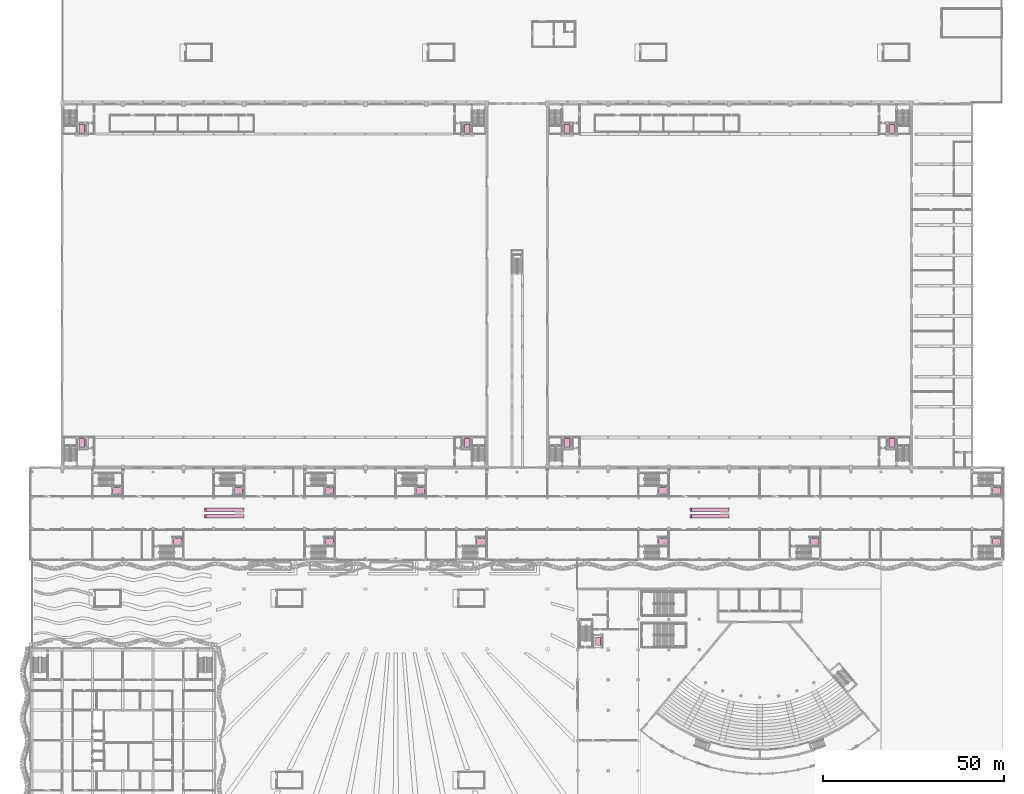
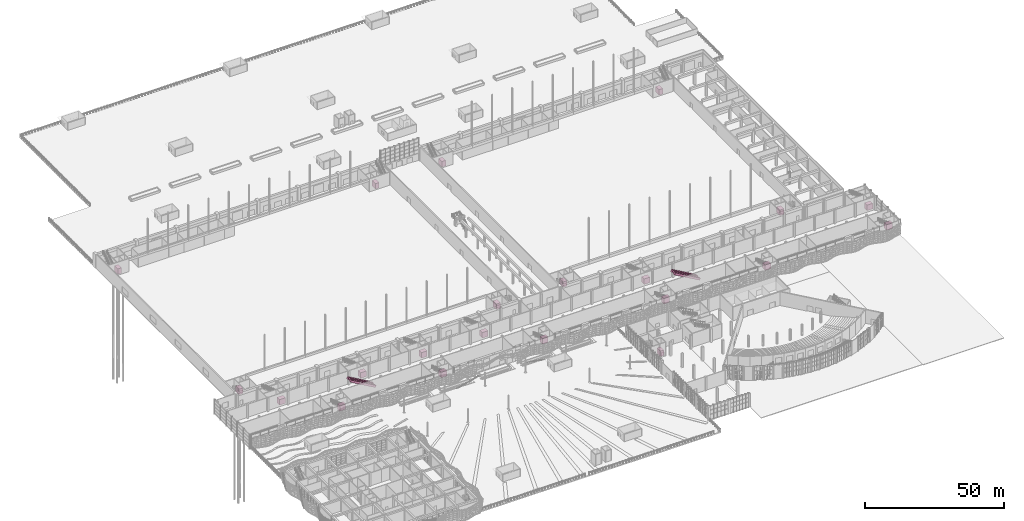
# One storey, part 210 of 210: 25 transport elements.
"""IFC4 building model written with IfcOpenShell, lengths in metres."""

import ifcopenshell
import ifcopenshell.guid

model = None  # the IFC model being written
_history = None  # IfcOwnerHistory: only IFC2X3 demands one
_inside = {}  # id of a spatial element -> (the spatial element, [elements in it])
_under = {}  # id of a project, library or spatial element -> (it, [spatial elements below it])
_declared = {}  # id of a project -> (the project, [libraries it declares])
_typed = {}  # id of a type object -> (the type object, [elements of that type])
_made_of = {}  # id of a material, layer set ... -> (it, [elements and type objects made of it])


def new_model(schema):
    """Start an empty IFC model of exactly this schema.

    Asked for "IFC4X3", IfcOpenShell would pick the latest addendum, in which some entities
    have other attributes; the version numbers below select the first issue.
    IFC2X3 requires an IfcOwnerHistory on every rooted entity: one is made here for all.
    """
    global model, _history
    if schema == "IFC4X3":
        model = ifcopenshell.file(schema_version=(4, 3, 0, 0))
    else:
        model = ifcopenshell.file(schema=schema)
    _inside.clear()
    _under.clear()
    _declared.clear()
    _typed.clear()
    _made_of.clear()
    _history = None
    if model.schema == "IFC2X3":
        org = make("IfcOrganization", Name="unknown")
        user = make(
            "IfcPersonAndOrganization",
            ThePerson=make("IfcPerson", FamilyName="unknown"),
            TheOrganization=org,
        )
        app = make(
            "IfcApplication",
            ApplicationDeveloper=org,
            Version="unknown",
            ApplicationFullName="unknown",
            ApplicationIdentifier="unknown",
        )
        _history = make(
            "IfcOwnerHistory",
            OwningUser=user,
            OwningApplication=app,
            ChangeAction="ADDED",
            CreationDate=0,
        )
    return model


def make(cls, **values):
    """One entity of the class cls with the attributes given. An attribute that is None is left unset."""
    return model.create_entity(
        cls, **{name: value for name, value in values.items() if value is not None}
    )


def rooted(cls, **values):
    """An entity with a GlobalId (a new one), such as an element, a storey or a relation."""
    return make(cls, GlobalId=ifcopenshell.guid.new(), OwnerHistory=_history, **values)


def si_unit(unit_type, name, prefix=None):
    """IfcSIUnit, for example si_unit("LENGTHUNIT", "METRE", prefix="MILLI")."""
    return make("IfcSIUnit", UnitType=unit_type, Prefix=prefix, Name=name)


def assignment(units):
    """IfcUnitAssignment: the units of a project."""
    return None if units is None else make("IfcUnitAssignment", Units=units)


def point(xyz):
    """IfcCartesianPoint."""
    return None if xyz is None else make("IfcCartesianPoint", Coordinates=xyz)


def direction(xyz):
    """IfcDirection."""
    return None if xyz is None else make("IfcDirection", DirectionRatios=xyz)


def frame(location, z_axis=None, x_axis=None):
    """IfcAxis2Placement3D, a coordinate frame: its origin and axes. An axis left out is left unset."""
    return make(
        "IfcAxis2Placement3D",
        Location=point(location),
        Axis=direction(z_axis),
        RefDirection=direction(x_axis),
    )


def frame_2d(location, x_axis=None):
    """IfcAxis2Placement2D, a coordinate frame in the plane: its origin and x axis."""
    return make(
        "IfcAxis2Placement2D", Location=point(location), RefDirection=direction(x_axis)
    )


def origin():
    """The frame at (0, 0, 0) with its axes left unset."""
    return frame((0.0, 0.0, 0.0))


def origin_2d():
    """The frame at (0, 0) in the plane with its x axis left unset."""
    return frame_2d((0.0, 0.0))


def place(relative_to, where):
    """IfcLocalPlacement: puts the frame where relative to a parent placement (None: the world)."""
    return make(
        "IfcLocalPlacement", PlacementRelTo=relative_to, RelativePlacement=where
    )


def context(
    kind, dimensions, precision=None, world=None, true_north=None, identifier=None
):
    """IfcGeometricRepresentationContext, for example the 3D "Model" context."""
    return make(
        "IfcGeometricRepresentationContext",
        ContextIdentifier=identifier,
        ContextType=kind,
        CoordinateSpaceDimension=dimensions,
        Precision=precision,
        WorldCoordinateSystem=world,
        TrueNorth=true_north,
    )


def subcontext(parent, identifier, kind, view, scale=None):
    """IfcGeometricRepresentationSubContext, for example "Body" below "Model"."""
    return make(
        "IfcGeometricRepresentationSubContext",
        ContextIdentifier=identifier,
        ContextType=kind,
        ParentContext=parent,
        TargetScale=scale,
        TargetView=view,
    )


def project(units=None, contexts=None):
    """IfcProject with its units and contexts."""
    return rooted(
        "IfcProject",
        Name="project",
        RepresentationContexts=contexts,
        UnitsInContext=assignment(units),
    )


def spatial(cls, under=None, at=None, **own):
    """A site, building, storey or space (cls), placed at a placement, below another one or the project."""
    s = rooted(cls, ObjectPlacement=at, **own)
    if under is not None:
        _under.setdefault(under.id(), (under, []))[1].append(s)
    return s


def polyline(points):
    """IfcPolyline through the points."""
    return make("IfcPolyline", Points=[point(p) for p in points])


def profile(cls, at=None, kind="AREA", **sizes):
    """A parametric profile (cls). Its sizes go by their IFC names, for example OverallWidth=200.0."""
    return make(cls, ProfileType=kind, Position=at, **sizes)


def rectangle(**sizes):
    """IfcRectangleProfileDef."""
    return profile("IfcRectangleProfileDef", **sizes)


def outline(outer, holes=None, kind="AREA"):
    """IfcArbitraryClosedProfileDef: a profile drawn as a closed curve; with holes, ...WithVoids."""
    if holes is None:
        return make("IfcArbitraryClosedProfileDef", ProfileType=kind, OuterCurve=outer)
    return make(
        "IfcArbitraryProfileDefWithVoids",
        ProfileType=kind,
        OuterCurve=outer,
        InnerCurves=holes,
    )


def extrude(swept, where, along, depth):
    """IfcExtrudedAreaSolid: the profile swept, set in the frame where, extruded along a direction by depth."""
    return make(
        "IfcExtrudedAreaSolid",
        SweptArea=swept,
        Position=where,
        ExtrudedDirection=direction(along),
        Depth=depth,
    )


def shape(context_of_items, identifier, shape_type, items):
    """IfcShapeRepresentation: the items that make up one representation, for example the "Body"."""
    return make(
        "IfcShapeRepresentation",
        ContextOfItems=context_of_items,
        RepresentationIdentifier=identifier,
        RepresentationType=shape_type,
        Items=items,
    )


def material(Name=None, Category=None):
    """IfcMaterial."""
    return make("IfcMaterial", Name=Name, Category=Category)


def made_of(thing, what):
    """Note that an element or type object is made of a material, layer set ...; save() writes the relation."""
    if what is not None:
        _made_of.setdefault(what.id(), (what, []))[1].append(thing)
    return thing


def type_object(cls, material=None, **own):
    """A type object (cls), such as IfcWallType, which elements share."""
    return made_of(rooted(cls, **own), material)


def element(
    cls,
    number,
    at=None,
    inside=None,
    cuts=None,
    type_object=None,
    material=None,
    context=None,
    identifier="Body",
    shape_type=None,
    held_by="IfcProductDefinitionShape",
    body=None,
    shapes=None,
    **own,
):
    """One element of the class cls, such as IfcWall. Its Tag is "e" and its number.

    at: its placement. inside: the storey or other place that contains it. cuts: it is an
    opening in that element (IfcRelVoidsElement). A single representation is given by context,
    identifier, shape_type and body (its items); several are given by shapes. held_by: the class
    of the entity that holds the representations. save() writes the other relations.
    """
    e = rooted(cls, Tag="e%d" % number, ObjectPlacement=at, **own)
    if body is not None:
        shapes = [shape(context, identifier, shape_type, body)]
    if shapes is not None:
        e.Representation = make(held_by, Representations=shapes)
    if inside is not None:
        _inside.setdefault(inside.id(), (inside, []))[1].append(e)
    if cuts is not None:
        rooted(
            "IfcRelVoidsElement", RelatingBuildingElement=cuts, RelatedOpeningElement=e
        )
    if type_object is not None:
        _typed.setdefault(type_object.id(), (type_object, []))[1].append(e)
    return made_of(e, material)


def aggregate(whole, parts):
    """IfcRelAggregates: a whole, such as a stair, and the parts it consists of."""
    return rooted("IfcRelAggregates", RelatingObject=whole, RelatedObjects=parts)


def save(model, path):
    """Write the relations noted so far, then the file.

    IfcRelAggregates (storeys below a building ...), IfcRelContainedInSpatialStructure (elements
    in a storey), IfcRelDefinesByType, IfcRelAssociatesMaterial and IfcRelDeclares: one each for
    every whole, place, type object, material and project.
    """
    for whole, parts in _under.values():
        aggregate(whole, parts)
    for where, things in _inside.values():
        rooted(
            "IfcRelContainedInSpatialStructure",
            RelatedElements=things,
            RelatingStructure=where,
        )
    for kind, things in _typed.values():
        rooted("IfcRelDefinesByType", RelatedObjects=things, RelatingType=kind)
    for what, things in _made_of.values():
        rooted("IfcRelAssociatesMaterial", RelatedObjects=things, RelatingMaterial=what)
    for by, libraries in _declared.values():
        rooted("IfcRelDeclares", RelatingContext=by, RelatedDefinitions=libraries)
    model.write(path)


model = new_model("IFC4")

# Units and contexts
model_context = context("Model", 3, precision=1e-05, world=origin(), true_north=direction((0.0, 1.0)))
body_context = subcontext(model_context, "Body", "Model", "MODEL_VIEW")
ifc_project = project(units=[si_unit("LENGTHUNIT", "METRE"), si_unit("AREAUNIT", "SQUARE_METRE"), si_unit("VOLUMEUNIT", "CUBIC_METRE"), si_unit("PLANEANGLEUNIT", "RADIAN"), si_unit("MASSUNIT", "GRAM", prefix="KILO")], contexts=[model_context])

# Site, building, storey
site_placement = place(None, origin())
site = spatial("IfcSite", under=ifc_project, at=site_placement, CompositionType="ELEMENT")
building_placement = place(site_placement, origin())
building = spatial("IfcBuilding", under=site, at=building_placement, Name="Rain Tree Exposition and Congress Centre", CompositionType="ELEMENT")
storey_placement = place(building_placement, origin())
storey = spatial("IfcBuildingStorey", under=building, at=storey_placement, Name="L00", CompositionType="ELEMENT", Elevation=0.0)

# Transport elements
ifc_material_1 = material(Name="Stainless steel escalator truss", Category="steel")
transport_element_type_1 = type_object("IfcTransportElementType", Name="Concourse escalator 1000", PredefinedType="ESCALATOR", material=ifc_material_1)
for number, where, z_axis, x_axis, name in (
    (1, (48.300048828125, 86.800048828125, 6.0), (0.49999894854, 0.0, 0.866026010844), (0.866026010844, 0.0, -0.49999894854), "Escalator 5.1"),
    (2, (48.300048828125, 88.60009765625, 6.0), (0.49999894854, 0.0, 0.866026010844), (0.866026010844, 0.0, -0.49999894854), "Escalator 5.2"),
    (3, (182.699951171875, 86.800048828125, 6.0), (0.49999894854, 0.0, 0.866026010844), (0.866026010844, 0.0, -0.49999894854), "Escalator 21.1"),
    (4, (182.699951171875, 88.60009765625, 6.0), (0.49999894854, 0.0, 0.866026010844), (0.866026010844, 0.0, -0.49999894854), "Escalator 21.2"),
):
    element("IfcTransportElement", number, at=place(storey_placement, frame(where, z_axis=z_axis, x_axis=x_axis)), inside=storey, type_object=transport_element_type_1, Name=name, PredefinedType="ESCALATOR", context=body_context, shape_type="SweptSolid", body=[
        extrude(outline(polyline([(0.0, 0.0), (12.000025235089948, 0.0), (12.000025235089948, 1.0), (0.0, 1.0), (0.0, 0.0)])), origin(), (0.0, 0.0, -1.0), 0.89990234375),
    ])
ifc_material_2 = material(Name="Stainless steel lift car", Category="steel")
transport_element_type_2 = type_object("IfcTransportElementType", Name="Concourse passenger lift 1600 kg", PredefinedType="ELEVATOR", material=ifc_material_2)
for number, where, z_axis, x_axis, name in (
    (5, (40.39990234375, 80.300048828125, 0.0), (0.0, 0.0, 1.0), (1.0, 0.0, 0.0), "Lift FLC1 (fire-fighting and stretcher lift)"),
    (6, (82.39990234375, 80.300048828125, 0.0), (0.0, 0.0, 1.0), (1.0, 0.0, 0.0), "Lift C2"),
    (7, (124.39990234375, 80.300048828125, 0.0), (0.0, 0.0, 1.0), (1.0, 0.0, 0.0), "Lift C3"),
    (8, (174.800048828125, 80.300048828125, 0.0), (0.0, 0.0, 1.0), (1.0, 0.0, 0.0), "Lift C4"),
    (9, (216.800048828125, 80.300048828125, 0.0), (0.0, 0.0, 1.0), (1.0, 0.0, 0.0), "Lift C5"),
    (10, (267.199951171875, 80.300048828125, 0.0), (0.0, 0.0, 1.0), (1.0, 0.0, 0.0), "Lift C6"),
    (11, (23.60009765625, 94.449951171875, 0.0), (0.0, 0.0, 1.0), (1.0, 0.0, 0.0), "Lift C7"),
    (12, (57.199951171875, 94.449951171875, 0.0), (0.0, 0.0, 1.0), (1.0, 0.0, 0.0), "Lift C8"),
    (13, (82.39990234375, 94.449951171875, 0.0), (0.0, 0.0, 1.0), (1.0, 0.0, 0.0), "Lift C9"),
    (14, (107.60009765625, 94.449951171875, 0.0), (0.0, 0.0, 1.0), (1.0, 0.0, 0.0), "Lift C10"),
    (15, (174.800048828125, 94.449951171875, 0.0), (0.0, 0.0, 1.0), (1.0, 0.0, 0.0), "Lift C11"),
    (16, (267.199951171875, 94.449951171875, 0.0), (0.0, 0.0, 1.0), (1.0, 0.0, 0.0), "Lift C12"),
):
    element("IfcTransportElement", number, at=place(storey_placement, frame(where, z_axis=z_axis, x_axis=x_axis)), inside=storey, type_object=transport_element_type_2, Name=name, PredefinedType="ELEVATOR", context=body_context, shape_type="SweptSolid", body=[
        extrude(rectangle(XDim=2.39990234375, YDim=1.800048828125, at=origin_2d()), origin(), (0.0, 0.0, 1.0), 2.39990234375),
    ])
ifc_material_3 = material(Name="Stainless steel", Category="steel")
transport_element_type_3 = type_object("IfcTransportElementType", Name="Fire-fighting lift 1400x2400 car congress", PredefinedType="ELEVATOR", material=ifc_material_3)
transport_element_placement = place(storey_placement, frame((156.75, 52.699951171875, 0.0), z_axis=(0.0, 0.0, 1.0), x_axis=(1.0, 0.0, 0.0)))
element("IfcTransportElement", 17, at=transport_element_placement, inside=storey, type_object=transport_element_type_3, Name="FLG1", PredefinedType="ELEVATOR", context=body_context, shape_type="SweptSolid", body=[
    extrude(rectangle(XDim=1.39990234375, YDim=2.39990234375, at=origin_2d()), origin(), (0.0, 0.0, 1.0), 2.39990234375),
])
ifc_material_4 = material(Name="Passenger lift car 1600x2400")
transport_element_type_4 = type_object("IfcTransportElementType", Name="Passenger lift car 1600x2400", PredefinedType="ELEVATOR", material=ifc_material_4)
for number, where, z_axis, x_axis, name in (
    (18, (13.800048828125, 107.699951171875, 0.0), (0.0, 0.0, 1.0), (1.0, 0.0, 0.0), "Lift FLH1"),
    (19, (120.60009765625, 107.699951171875, 0.0), (0.0, 0.0, 1.0), (1.0, 0.0, 0.0), "Lift H2"),
    (20, (13.800048828125, 194.699951171875, 0.0), (0.0, 0.0, 1.0), (1.0, 0.0, 0.0), "Lift H3"),
    (21, (120.60009765625, 194.699951171875, 0.0), (0.0, 0.0, 1.0), (1.0, 0.0, 0.0), "Lift H4"),
    (22, (148.199951171875, 107.699951171875, 0.0), (0.0, 0.0, 1.0), (1.0, 0.0, 0.0), "Lift H5"),
    (23, (238.199951171875, 107.699951171875, 0.0), (0.0, 0.0, 1.0), (1.0, 0.0, 0.0), "Lift H6"),
    (24, (148.199951171875, 194.699951171875, 0.0), (0.0, 0.0, 1.0), (1.0, 0.0, 0.0), "Lift H7"),
    (25, (238.199951171875, 194.699951171875, 0.0), (0.0, 0.0, 1.0), (1.0, 0.0, 0.0), "Lift H8"),
):
    element("IfcTransportElement", number, at=place(storey_placement, frame(where, z_axis=z_axis, x_axis=x_axis)), inside=storey, type_object=transport_element_type_4, Name=name, PredefinedType="ELEVATOR", context=body_context, shape_type="SweptSolid", body=[
        extrude(rectangle(XDim=1.60009765625, YDim=2.39990234375, at=origin_2d()), origin(), (0.0, 0.0, 1.0), 2.39990234375),
    ])

save(model, "model.ifc")
